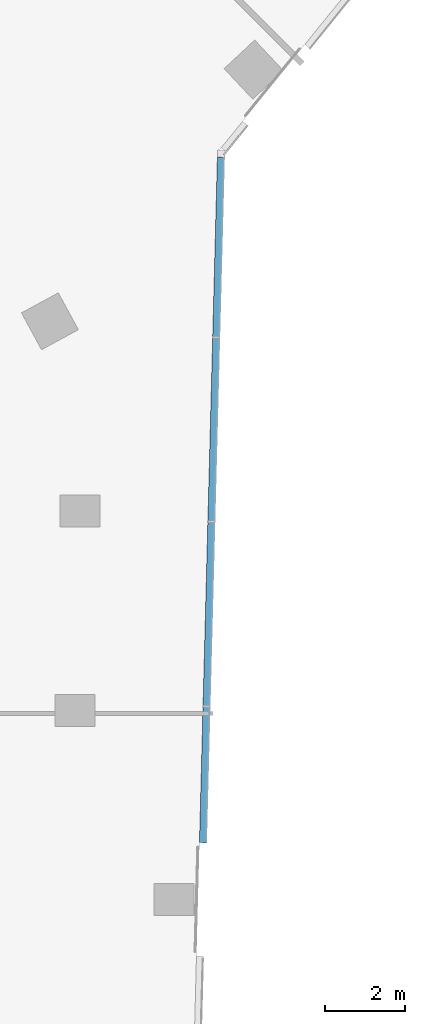
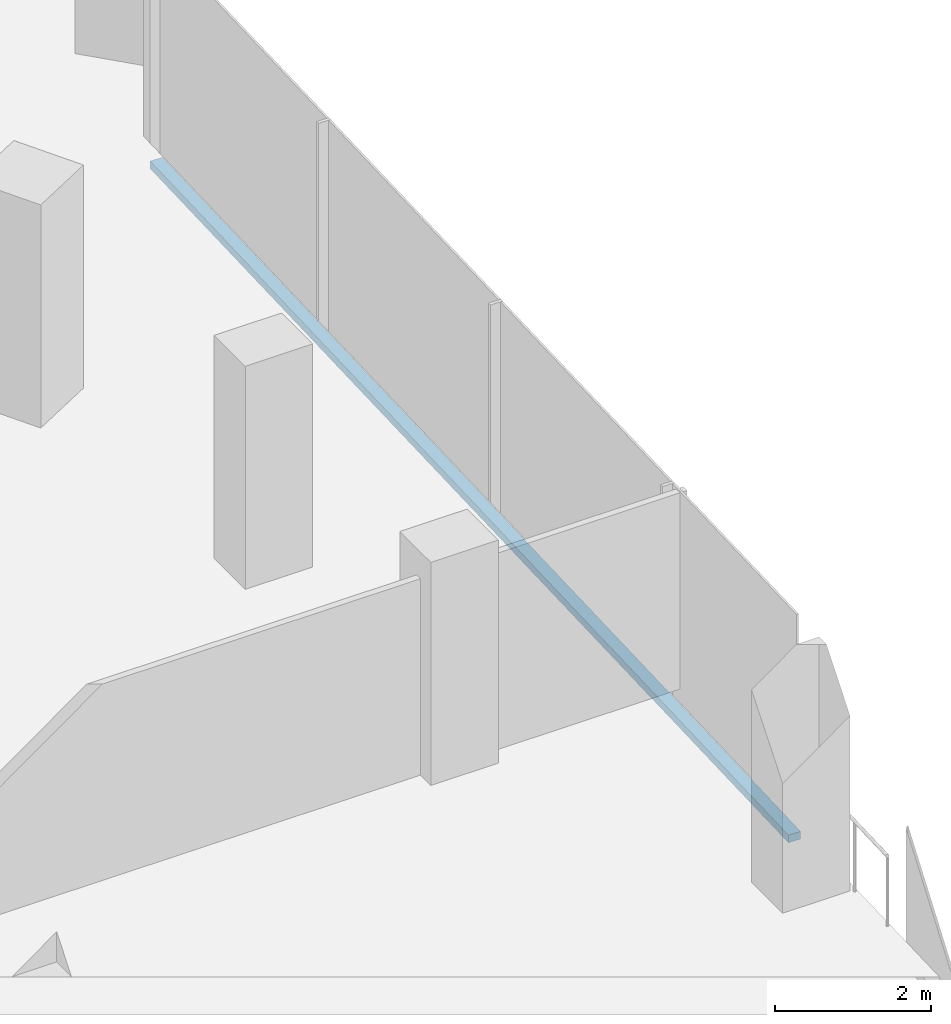
# One storey, part 4 of 24: 1 member, 1 element without a shape of its own.
"""IFC4 building model written with IfcOpenShell, lengths in metres."""

from ifc_helpers import new_model, si_unit, direction, frame, origin, origin_2d, place, context, subcontext, project, spatial, rectangle, extrude, material, material_profile, profile_set, type_object, element, aggregate, save


model = new_model("IFC4")

# Units and contexts
model_context = context("Model", 3, precision=1e-05, world=origin(), true_north=direction((0.0, 1.0)))
body_context = subcontext(model_context, "Body", "Model", "MODEL_VIEW")
ifc_project = project(units=[si_unit("LENGTHUNIT", "METRE"), si_unit("AREAUNIT", "SQUARE_METRE"), si_unit("VOLUMEUNIT", "CUBIC_METRE"), si_unit("PLANEANGLEUNIT", "RADIAN"), si_unit("MASSUNIT", "GRAM", prefix="KILO")], contexts=[model_context])

# Site, building, storey
site_placement = place(None, origin())
site = spatial("IfcSite", under=ifc_project, at=site_placement, CompositionType="ELEMENT")
building_placement = place(site_placement, origin())
building = spatial("IfcBuilding", under=site, at=building_placement, Name="Orlundy Tower", CompositionType="ELEMENT")
storey_placement = place(building_placement, frame((0.0, 0.0, 210.5)))
storey = spatial("IfcBuildingStorey", under=building, at=storey_placement, Name="L55", CompositionType="ELEMENT", Elevation=210.5)

# Curtain wall, member
ifc_material_1 = material(Name="Aluminium bronze anodised", Category="aluminium")
curtain_wall_type = type_object("IfcCurtainWallType", Name="CW1 wall", PredefinedType="NOTDEFINED", material=ifc_material_1)
curtain_wall_placement = place(storey_placement, origin())
curtain_wall = element("IfcCurtainWall", 1, at=curtain_wall_placement, inside=storey, type_object=curtain_wall_type, Name="CW1 run 018", PredefinedType="NOTDEFINED")
ifc_material_2 = material(Name="Aluminium bronze anodised", Category="aluminium")
ifc_material_profile = material_profile(ifc_material_2, rectangle(XDim=0.179931640625, YDim=0.1201171875, at=origin_2d()), Name="CW1 transom 180x120")
ifc_profile_set = profile_set([ifc_material_profile], Name="Aluminium bronze anodised")
member_type = type_object("IfcMemberType", Name="CW1 transom 180x120", PredefinedType="USERDEFINED", material=ifc_profile_set)
member_placement = place(storey_placement, frame((19.471923828125, -23.853759765625, -0.340087890625), z_axis=(-0.026174469647, -0.999657389878, 0.0), x_axis=(0.999657389878, -0.026174469647, 0.0)))
member = element("IfcMember", 2, at=member_placement, type_object=member_type, Name="CW1 transom", ObjectType="TRANSOM", PredefinedType="USERDEFINED", context=body_context, shape_type="SweptSolid", body=[
    extrude(rectangle(XDim=0.179931640625, YDim=0.1201171875, at=origin_2d()), origin(), (0.0, 0.0, 1.0), 17.1904296875),
])
aggregate(curtain_wall, [member])

save(model, "model.ifc")
